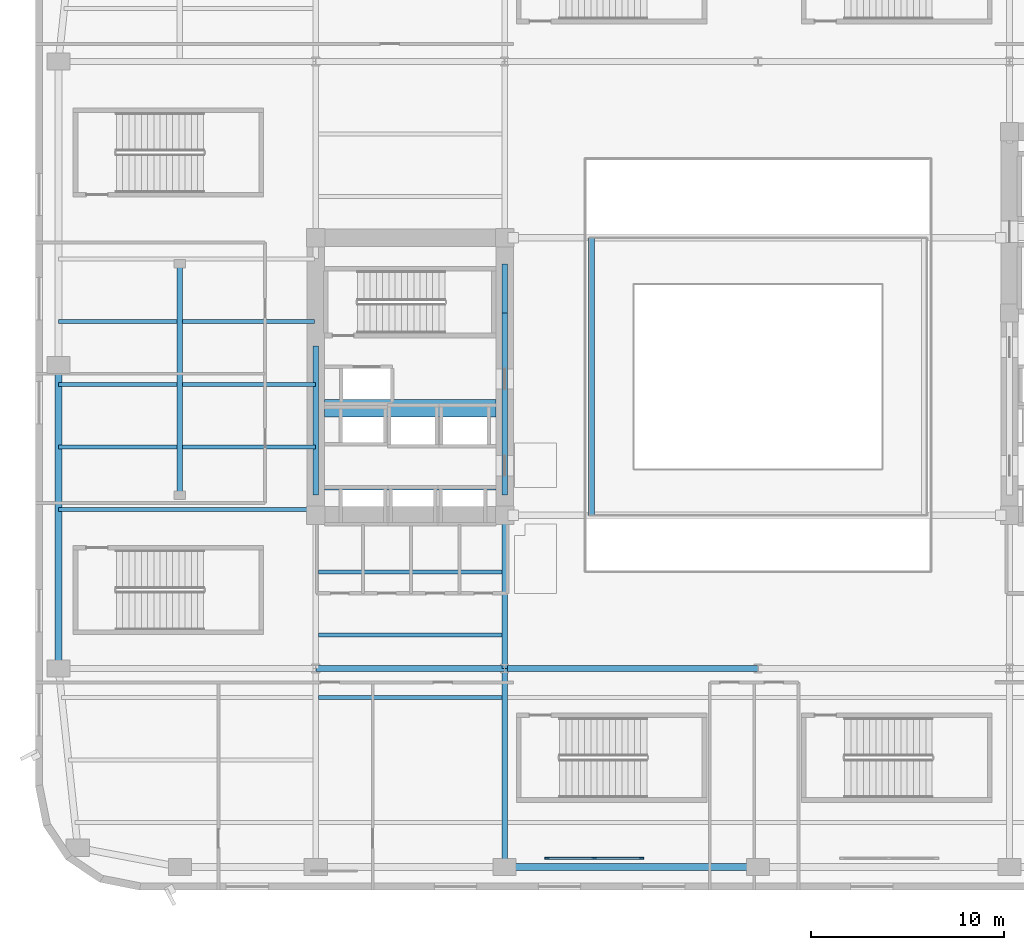
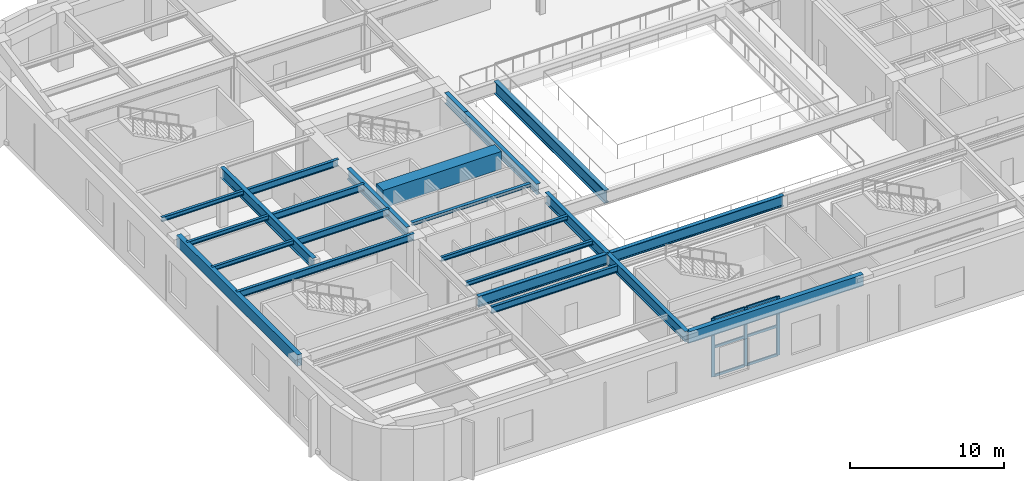
# One storey, part 2 of 22: 23 beams, 9 members, 1 element without a shape of its own.
"""IFC4 building model written with IfcOpenShell, lengths in metres."""

from ifc_helpers import new_model, si_unit, direction, frame, origin, origin_2d, place, context, subcontext, project, spatial, rectangle, hollow_rectangle, i_section, extrude, material, material_profile, profile_set, type_object, element, aggregate, save


model = new_model("IFC4")

# Units and contexts
model_context = context("Model", 3, precision=1e-05, world=origin(), true_north=direction((0.0, 1.0)))
body_context = subcontext(model_context, "Body", "Model", "MODEL_VIEW")
ifc_project = project(units=[si_unit("LENGTHUNIT", "METRE"), si_unit("AREAUNIT", "SQUARE_METRE"), si_unit("VOLUMEUNIT", "CUBIC_METRE"), si_unit("PLANEANGLEUNIT", "RADIAN"), si_unit("MASSUNIT", "GRAM", prefix="KILO")], contexts=[model_context])

# Site, building, storey
site_placement = place(None, origin())
site = spatial("IfcSite", under=ifc_project, at=site_placement, CompositionType="ELEMENT")
building_placement = place(site_placement, origin())
building = spatial("IfcBuilding", under=site, at=building_placement, Name="Kolvaren Arena Tower", CompositionType="ELEMENT")
storey_placement = place(building_placement, frame((0.0, 0.0, 13.0)))
storey = spatial("IfcBuildingStorey", under=building, at=storey_placement, Name="L02", CompositionType="ELEMENT", Elevation=13.0)

# Beams
ifc_material_1 = material(Name="Steel CSA G40.21 350W", Category="steel")
ifc_material_profile_1 = material_profile(ifc_material_1, i_section(OverallWidth=0.2119140625, OverallDepth=0.54296875, WebThickness=0.01318359375, FlangeThickness=0.0244140625, FilletRadius=0.013916015625, at=origin_2d()), Name="W530x150")
ifc_profile_set_1 = profile_set([ifc_material_profile_1], Name="Steel CSA G40.21 350W")
beam_type_1 = type_object("IfcBeamType", Name="BEAM-F1", PredefinedType="BEAM", material=ifc_profile_set_1)
beam_1_placement = place(storey_placement, frame((14.696044921875, 10.0, 4.37841796875), z_axis=(1.0, 0.0, 0.0), x_axis=(0.0, 1.0, 0.0)))
element("IfcBeam", 1, at=beam_1_placement, inside=storey, type_object=beam_type_1, Name="Composite Floor Beam (L02)", PredefinedType="BEAM", context=body_context, shape_type="SweptSolid", body=[
    extrude(i_section(OverallWidth=0.2119140625, OverallDepth=0.54296875, WebThickness=0.01318359375, FlangeThickness=0.0244140625, FilletRadius=0.013916015625, at=origin_2d()), origin(), (0.0, 0.0, 1.0), 9.508056640625),
])
beam_2_placement = place(storey_placement, frame((1.199951171875, 19.75, 4.37841796875), z_axis=(1.0, 0.0, 0.0), x_axis=(0.0, 1.0, 0.0)))
element("IfcBeam", 2, at=beam_2_placement, inside=storey, type_object=beam_type_1, Name="Composite Floor Beam (L02)", PredefinedType="BEAM", context=body_context, shape_type="SweptSolid", body=[
    extrude(i_section(OverallWidth=0.2119140625, OverallDepth=0.54296875, WebThickness=0.01318359375, FlangeThickness=0.0244140625, FilletRadius=0.013916015625, at=origin_2d()), origin(), (0.0, 0.0, 1.0), 13.330078125),
])
for number, where, z_axis, x_axis, name in (
    (3, (7.64599609375, 23.0, 4.37841796875), (1.0, 0.0, 0.0), (0.0, 1.0, 0.0), "Composite Floor Beam (L02)"),
    (4, (7.64599609375, 26.25, 4.37841796875), (1.0, 0.0, 0.0), (0.0, 1.0, 0.0), "Composite Floor Beam (L02)"),
):
    element("IfcBeam", number, at=place(storey_placement, frame(where, z_axis=z_axis, x_axis=x_axis)), inside=storey, type_object=beam_type_1, Name=name, PredefinedType="BEAM", context=body_context, shape_type="SweptSolid", body=[
        extrude(i_section(OverallWidth=0.2119140625, OverallDepth=0.54296875, WebThickness=0.01318359375, FlangeThickness=0.0244140625, FilletRadius=0.013916015625, at=origin_2d()), origin(), (0.0, 0.0, 1.0), 6.884033203125),
    ])
beam_3_placement = place(storey_placement, frame((7.64599609375, 29.5, 4.37841796875), z_axis=(1.0, 0.0, 0.0), x_axis=(0.0, 1.0, 0.0)))
element("IfcBeam", 5, at=beam_3_placement, inside=storey, type_object=beam_type_1, Name="Composite Floor Beam (L02)", PredefinedType="BEAM", context=body_context, shape_type="SweptSolid", body=[
    extrude(i_section(OverallWidth=0.2119140625, OverallDepth=0.54296875, WebThickness=0.01318359375, FlangeThickness=0.0244140625, FilletRadius=0.013916015625, at=origin_2d()), origin(), (0.0, 0.0, 1.0), 6.833984375),
])
ifc_material_2 = material(Name="Concrete 75 MPa", Category="concrete")
ifc_material_profile_2 = material_profile(ifc_material_2, rectangle(XDim=0.89990234375, YDim=1.39990234375, at=origin_2d()), Name="RC-900x1400")
ifc_profile_set_2 = profile_set([ifc_material_profile_2], Name="Concrete 75 MPa")
beam_type_2 = type_object("IfcBeamType", Name="CB-CORE-1", PredefinedType="BEAM", material=ifc_profile_set_2)
beam_4_placement = place(storey_placement, frame((15.0, 25.0, 4.219970703125), z_axis=(1.0, 0.0, 0.0), x_axis=(0.0, 1.0, 0.0)))
element("IfcBeam", 6, at=beam_4_placement, inside=storey, type_object=beam_type_2, Name="West Core Coupling Beam (L02)", PredefinedType="BEAM", context=body_context, shape_type="SweptSolid", body=[
    extrude(rectangle(XDim=0.89990234375, YDim=1.39990234375, at=origin_2d()), origin(), (0.0, 0.0, 1.0), 8.89990234375),
])

# Curtain wall, members
ifc_material_3 = material(Name="Anodised aluminium unitised curtain wall", Category="aluminium")
curtain_wall_type = type_object("IfcCurtainWallType", Name="CW-SYS-02", PredefinedType="USERDEFINED", material=ifc_material_3)
curtain_wall_placement = place(storey_placement, origin())
curtain_wall = element("IfcCurtainWall", 7, at=curtain_wall_placement, inside=storey, type_object=curtain_wall_type, Name="Arena Concourse Grand Portal Curtain Wall (L02)", ObjectType="UNITISED CURTAIN WALL", PredefinedType="USERDEFINED")
ifc_material_4 = material(Name="Anodised aluminium 6063-T6", Category="aluminium")
ifc_material_profile_3 = material_profile(ifc_material_4, rectangle(XDim=0.10009765625, YDim=0.239990234375, at=origin_2d()), Name="ALU-100x240")
ifc_profile_set_3 = profile_set([ifc_material_profile_3], Name="Anodised aluminium 6063-T6")
member_type_1 = type_object("IfcMemberType", Name="CWM-HVY", PredefinedType="MULLION", material=ifc_profile_set_3)
member_1_placement = place(storey_placement, frame((26.550048828125, 1.64990234375, 0.0), z_axis=(0.0, 0.0, 1.0), x_axis=(0.0, 1.0, 0.0)))
member_1 = element("IfcMember", 8, at=member_1_placement, type_object=member_type_1, Name="CW2 mullion 1", PredefinedType="MULLION", context=body_context, shape_type="SweptSolid", body=[
    extrude(rectangle(XDim=0.10009765625, YDim=0.239990234375, at=origin_2d()), origin(), (0.0, 0.0, 1.0), 4.64990234375),
])
member_2_placement = place(storey_placement, frame((29.0, 1.64990234375, 0.0), z_axis=(0.0, 0.0, 1.0), x_axis=(0.0, 1.0, 0.0)))
member_2 = element("IfcMember", 9, at=member_2_placement, type_object=member_type_1, Name="CW2 mullion 2", PredefinedType="MULLION", context=body_context, shape_type="SweptSolid", body=[
    extrude(rectangle(XDim=0.10009765625, YDim=0.239990234375, at=origin_2d()), origin(), (0.0, 0.0, 1.0), 4.64990234375),
])
member_3_placement = place(storey_placement, frame((31.449951171875, 1.64990234375, 0.0), z_axis=(0.0, 0.0, 1.0), x_axis=(0.0, 1.0, 0.0)))
member_3 = element("IfcMember", 10, at=member_3_placement, type_object=member_type_1, Name="CW2 mullion 3", PredefinedType="MULLION", context=body_context, shape_type="SweptSolid", body=[
    extrude(rectangle(XDim=0.10009765625, YDim=0.239990234375, at=origin_2d()), origin(), (0.0, 0.0, 1.0), 4.64990234375),
])
ifc_material_profile_4 = material_profile(ifc_material_4, rectangle(XDim=0.10009765625, YDim=0.199951171875, at=origin_2d()), Name="ALU-100x200")
ifc_profile_set_4 = profile_set([ifc_material_profile_4], Name="Anodised aluminium 6063-T6")
member_type_2 = type_object("IfcMemberType", Name="CWT-HVY", PredefinedType="USERDEFINED", material=ifc_profile_set_4)
member_4_placement = place(storey_placement, frame((26.60009765625, 1.64990234375, 0.050048828125), z_axis=(1.0, 0.0, 0.0), x_axis=(0.0, 1.0, 0.0)))
member_4 = element("IfcMember", 11, at=member_4_placement, type_object=member_type_2, Name="CW2 transom 1.1", ObjectType="TRANSOM", PredefinedType="USERDEFINED", context=body_context, shape_type="SweptSolid", body=[
    extrude(rectangle(XDim=0.10009765625, YDim=0.199951171875, at=origin_2d()), origin(), (0.0, 0.0, 1.0), 2.349853515625),
])
member_5_placement = place(storey_placement, frame((26.60009765625, 1.64990234375, 2.324951171875), z_axis=(1.0, 0.0, 0.0), x_axis=(0.0, 1.0, 0.0)))
member_5 = element("IfcMember", 12, at=member_5_placement, type_object=member_type_2, Name="CW2 transom 1.2", ObjectType="TRANSOM", PredefinedType="USERDEFINED", context=body_context, shape_type="SweptSolid", body=[
    extrude(rectangle(XDim=0.10009765625, YDim=0.199951171875, at=origin_2d()), origin(), (0.0, 0.0, 1.0), 2.349853515625),
])
member_6_placement = place(storey_placement, frame((26.60009765625, 1.64990234375, 4.60009765625), z_axis=(1.0, 0.0, 0.0), x_axis=(0.0, 1.0, 0.0)))
member_6 = element("IfcMember", 13, at=member_6_placement, type_object=member_type_2, Name="CW2 transom 1.3", ObjectType="TRANSOM", PredefinedType="USERDEFINED", context=body_context, shape_type="SweptSolid", body=[
    extrude(rectangle(XDim=0.10009765625, YDim=0.199951171875, at=origin_2d()), origin(), (0.0, 0.0, 1.0), 2.349853515625),
])
member_7_placement = place(storey_placement, frame((29.050048828125, 1.64990234375, 0.050048828125), z_axis=(1.0, 0.0, 0.0), x_axis=(0.0, 1.0, 0.0)))
member_7 = element("IfcMember", 14, at=member_7_placement, type_object=member_type_2, Name="CW2 transom 2.1", ObjectType="TRANSOM", PredefinedType="USERDEFINED", context=body_context, shape_type="SweptSolid", body=[
    extrude(rectangle(XDim=0.10009765625, YDim=0.199951171875, at=origin_2d()), origin(), (0.0, 0.0, 1.0), 2.349853515625),
])
member_8_placement = place(storey_placement, frame((29.050048828125, 1.64990234375, 2.324951171875), z_axis=(1.0, 0.0, 0.0), x_axis=(0.0, 1.0, 0.0)))
member_8 = element("IfcMember", 15, at=member_8_placement, type_object=member_type_2, Name="CW2 transom 2.2", ObjectType="TRANSOM", PredefinedType="USERDEFINED", context=body_context, shape_type="SweptSolid", body=[
    extrude(rectangle(XDim=0.10009765625, YDim=0.199951171875, at=origin_2d()), origin(), (0.0, 0.0, 1.0), 2.349853515625),
])
member_9_placement = place(storey_placement, frame((29.050048828125, 1.64990234375, 4.60009765625), z_axis=(1.0, 0.0, 0.0), x_axis=(0.0, 1.0, 0.0)))
member_9 = element("IfcMember", 16, at=member_9_placement, type_object=member_type_2, Name="CW2 transom 2.3", ObjectType="TRANSOM", PredefinedType="USERDEFINED", context=body_context, shape_type="SweptSolid", body=[
    extrude(rectangle(XDim=0.10009765625, YDim=0.199951171875, at=origin_2d()), origin(), (0.0, 0.0, 1.0), 2.349853515625),
])
aggregate(curtain_wall, [member_1, member_2, member_3, member_4, member_5, member_6, member_7, member_8, member_9])

# Beams
ifc_material_profile_5 = material_profile(ifc_material_1, i_section(OverallWidth=0.2919921875, OverallDepth=0.85498046875, WebThickness=0.02099609375, FlangeThickness=0.03564453125, FilletRadius=0.01806640625, at=origin_2d()), Name="W840x299")
ifc_profile_set_5 = profile_set([ifc_material_profile_5], Name="Steel CSA G40.21 350W")
beam_type_3 = type_object("IfcBeamType", Name="GIRD-P1", PredefinedType="BEAM", material=ifc_profile_set_5)
beam_5_placement = place(storey_placement, frame((14.550048828125, 11.5, 4.222412109375), z_axis=(1.0, 0.0, 0.0), x_axis=(0.0, 1.0, 0.0)))
element("IfcBeam", 17, at=beam_5_placement, inside=storey, type_object=beam_type_3, Name="Primary Floor Girder (L02)", PredefinedType="BEAM", context=body_context, shape_type="SweptSolid", body=[
    extrude(i_section(OverallWidth=0.2919921875, OverallDepth=0.85498046875, WebThickness=0.02099609375, FlangeThickness=0.03564453125, FilletRadius=0.01806640625, at=origin_2d()), origin(), (0.0, 0.0, 1.0), 9.800048828125),
])
beam_6_placement = place(storey_placement, frame((24.35009765625, 11.5, 4.222412109375), z_axis=(1.0, 0.0, 0.0), x_axis=(0.0, 1.0, 0.0)))
element("IfcBeam", 18, at=beam_6_placement, inside=storey, type_object=beam_type_3, Name="Primary Floor Girder (L02)", PredefinedType="BEAM", context=body_context, shape_type="SweptSolid", body=[
    extrude(i_section(OverallWidth=0.2919921875, OverallDepth=0.85498046875, WebThickness=0.02099609375, FlangeThickness=0.03564453125, FilletRadius=0.01806640625, at=origin_2d()), origin(), (0.0, 0.0, 1.0), 13.14990234375),
])
beam_7_placement = place(storey_placement, frame((7.5, 20.5, 4.222412109375), z_axis=(0.0, 1.0, 0.0), x_axis=(-1.0, 0.0, 0.0)))
element("IfcBeam", 19, at=beam_7_placement, inside=storey, type_object=beam_type_3, Name="Primary Floor Girder (L02)", PredefinedType="BEAM", context=body_context, shape_type="SweptSolid", body=[
    extrude(i_section(OverallWidth=0.2919921875, OverallDepth=0.85498046875, WebThickness=0.02099609375, FlangeThickness=0.03564453125, FilletRadius=0.01806640625, at=origin_2d()), origin(), (0.0, 0.0, 1.0), 12.0),
])
beam_8_placement = place(storey_placement, frame((14.550048828125, 20.5, 4.222412109375), z_axis=(0.0, 1.0, 0.0), x_axis=(-1.0, 0.0, 0.0)))
element("IfcBeam", 20, at=beam_8_placement, inside=storey, type_object=beam_type_3, Name="Primary Floor Girder (L02)", PredefinedType="BEAM", context=body_context, shape_type="SweptSolid", body=[
    extrude(i_section(OverallWidth=0.2919921875, OverallDepth=0.85498046875, WebThickness=0.02099609375, FlangeThickness=0.03564453125, FilletRadius=0.01806640625, at=origin_2d()), origin(), (0.0, 0.0, 1.0), 7.739990234375),
])
beam_9_placement = place(storey_placement, frame((24.35009765625, 1.199951171875, 4.222412109375), z_axis=(0.0, 1.0, 0.0), x_axis=(-1.0, 0.0, 0.0)))
element("IfcBeam", 21, at=beam_9_placement, inside=storey, type_object=beam_type_3, Name="Primary Floor Girder (L02)", PredefinedType="BEAM", context=body_context, shape_type="SweptSolid", body=[
    extrude(i_section(OverallWidth=0.2919921875, OverallDepth=0.85498046875, WebThickness=0.02099609375, FlangeThickness=0.03564453125, FilletRadius=0.01806640625, at=origin_2d()), origin(), (0.0, 0.0, 1.0), 10.300048828125),
])
beam_10_placement = place(storey_placement, frame((24.35009765625, 11.5, 4.222412109375), z_axis=(0.0, 1.0, 0.0), x_axis=(-1.0, 0.0, 0.0)))
element("IfcBeam", 22, at=beam_10_placement, inside=storey, type_object=beam_type_3, Name="Primary Floor Girder (L02)", PredefinedType="BEAM", context=body_context, shape_type="SweptSolid", body=[
    extrude(i_section(OverallWidth=0.2919921875, OverallDepth=0.85498046875, WebThickness=0.02099609375, FlangeThickness=0.03564453125, FilletRadius=0.01806640625, at=origin_2d()), origin(), (0.0, 0.0, 1.0), 7.949951171875),
])
beam_11_placement = place(storey_placement, frame((24.35009765625, 20.5, 4.222412109375), z_axis=(0.0, 1.0, 0.0), x_axis=(-1.0, 0.0, 0.0)))
element("IfcBeam", 23, at=beam_11_placement, inside=storey, type_object=beam_type_3, Name="Primary Floor Girder (L02)", PredefinedType="BEAM", context=body_context, shape_type="SweptSolid", body=[
    extrude(i_section(OverallWidth=0.2919921875, OverallDepth=0.85498046875, WebThickness=0.02099609375, FlangeThickness=0.03564453125, FilletRadius=0.01806640625, at=origin_2d()), origin(), (0.0, 0.0, 1.0), 9.449951171875),
])
beam_12_placement = place(storey_placement, frame((24.35009765625, 29.949951171875, 4.222412109375), z_axis=(0.0, 1.0, 0.0), x_axis=(-1.0, 0.0, 0.0)))
element("IfcBeam", 24, at=beam_12_placement, inside=storey, type_object=beam_type_3, Name="Primary Floor Girder (L02)", PredefinedType="BEAM", context=body_context, shape_type="SweptSolid", body=[
    extrude(i_section(OverallWidth=0.2919921875, OverallDepth=0.85498046875, WebThickness=0.02099609375, FlangeThickness=0.03564453125, FilletRadius=0.01806640625, at=origin_2d()), origin(), (0.0, 0.0, 1.0), 2.550048828125),
])
ifc_material_profile_6 = material_profile(ifc_material_1, i_section(OverallWidth=0.202880859375, OverallDepth=0.346923828125, WebThickness=0.0078125, FlangeThickness=0.013427734375, FilletRadius=0.010986328125, at=origin_2d()), Name="W360x64")
ifc_profile_set_6 = profile_set([ifc_material_profile_6], Name="Steel CSA G40.21 350W")
beam_type_4 = type_object("IfcBeamType", Name="JOIST-01", PredefinedType="JOIST", material=ifc_profile_set_6)
for number, where, z_axis, x_axis, name in (
    (25, (14.696044921875, 13.25, 4.4765625), (1.0, 0.0, 0.0), (0.0, 1.0, 0.0), "Composite Floor Joist (L02)"),
    (26, (14.696044921875, 16.5, 4.4765625), (1.0, 0.0, 0.0), (0.0, 1.0, 0.0), "Composite Floor Joist (L02)"),
):
    element("IfcBeam", number, at=place(storey_placement, frame(where, z_axis=z_axis, x_axis=x_axis)), inside=storey, type_object=beam_type_4, Name=name, PredefinedType="JOIST", context=body_context, shape_type="SweptSolid", body=[
        extrude(i_section(OverallWidth=0.202880859375, OverallDepth=0.346923828125, WebThickness=0.0078125, FlangeThickness=0.013427734375, FilletRadius=0.010986328125, at=origin_2d()), origin(), (0.0, 0.0, 1.0), 9.508056640625),
    ])
for number, where, z_axis, x_axis, name in (
    (27, (1.199951171875, 23.0, 4.4765625), (1.0, 0.0, 0.0), (0.0, 1.0, 0.0), "Composite Floor Joist (L02)"),
    (28, (1.199951171875, 26.25, 4.4765625), (1.0, 0.0, 0.0), (0.0, 1.0, 0.0), "Composite Floor Joist (L02)"),
    (29, (1.199951171875, 29.5, 4.4765625), (1.0, 0.0, 0.0), (0.0, 1.0, 0.0), "Composite Floor Joist (L02)"),
):
    element("IfcBeam", number, at=place(storey_placement, frame(where, z_axis=z_axis, x_axis=x_axis)), inside=storey, type_object=beam_type_4, Name=name, PredefinedType="JOIST", context=body_context, shape_type="SweptSolid", body=[
        extrude(i_section(OverallWidth=0.202880859375, OverallDepth=0.346923828125, WebThickness=0.0078125, FlangeThickness=0.013427734375, FilletRadius=0.010986328125, at=origin_2d()), origin(), (0.0, 0.0, 1.0), 6.154052734375),
    ])
ifc_material_profile_7 = material_profile(ifc_material_1, i_section(OverallWidth=0.25390625, OverallDepth=0.2529296875, WebThickness=0.008544921875, FlangeThickness=0.01416015625, FilletRadius=0.010009765625, at=origin_2d()), Name="W250x73")
ifc_profile_set_7 = profile_set([ifc_material_profile_7], Name="Steel CSA G40.21 350W")
beam_type_5 = type_object("IfcBeamType", Name="LINT-02", PredefinedType="LINTEL", material=ifc_profile_set_7)
beam_13_placement = place(storey_placement, frame((15.0, 20.8798828125, 4.5234375), z_axis=(1.0, 0.0, 0.0), x_axis=(0.0, 1.0, 0.0)))
element("IfcBeam", 30, at=beam_13_placement, inside=storey, type_object=beam_type_5, Name="West Lift Lobby Portal Lintel (L02)", PredefinedType="LINTEL", context=body_context, shape_type="SweptSolid", body=[
    extrude(i_section(OverallWidth=0.25390625, OverallDepth=0.2529296875, WebThickness=0.008544921875, FlangeThickness=0.01416015625, FilletRadius=0.010009765625, at=origin_2d()), origin(), (0.0, 0.0, 1.0), 8.89990234375),
])
ifc_material_profile_8 = material_profile(ifc_material_1, i_section(OverallWidth=0.323974609375, OverallDepth=1.011962890625, WebThickness=0.02685546875, FlangeThickness=0.0458984375, FilletRadius=0.02197265625, at=origin_2d()), Name="W1000x443")
ifc_profile_set_8 = profile_set([ifc_material_profile_8], Name="Steel CSA G40.21 350W")
beam_type_6 = type_object("IfcBeamType", Name="RAKER-01", PredefinedType="USERDEFINED", material=ifc_profile_set_8)
beam_14_placement = place(storey_placement, frame((28.85009765625, 19.449951171875, 2.68408203125), z_axis=(0.0, 1.0, 0.0), x_axis=(-1.0, 0.0, 0.0)))
element("IfcBeam", 31, at=beam_14_placement, inside=storey, type_object=beam_type_6, Name="Arena Bowl Raker Girder (L02 W)", ObjectType="RAKER GIRDER", PredefinedType="USERDEFINED", context=body_context, shape_type="SweptSolid", body=[
    extrude(i_section(OverallWidth=0.323974609375, OverallDepth=1.011962890625, WebThickness=0.02685546875, FlangeThickness=0.0458984375, FilletRadius=0.02197265625, at=origin_2d()), origin(), (0.0, 0.0, 1.0), 14.400146484375),
])
ifc_material_5 = material(Name="Steel CSA G40.21 350WT", Category="steel")
ifc_material_profile_9 = material_profile(ifc_material_5, hollow_rectangle(XDim=0.35009765625, YDim=0.89990234375, WallThickness=0.02001953125, at=origin_2d()), Name="HSS 900x350x20")
ifc_profile_set_9 = profile_set([ifc_material_profile_9], Name="Steel CSA G40.21 350WT")
beam_type_7 = type_object("IfcBeamType", Name="SPAND-01", PredefinedType="SPANDREL", material=ifc_profile_set_9)
beam_15_placement = place(storey_placement, frame((24.35009765625, 1.199951171875, 4.199951171875), z_axis=(1.0, 0.0, 0.0), x_axis=(0.0, 1.0, 0.0)))
element("IfcBeam", 32, at=beam_15_placement, inside=storey, type_object=beam_type_7, Name="Perimeter Spandrel Beam (L02)", PredefinedType="SPANDREL", context=body_context, shape_type="SweptSolid", body=[
    extrude(hollow_rectangle(XDim=0.35009765625, YDim=0.89990234375, WallThickness=0.02001953125, at=origin_2d()), origin(), (0.0, 0.0, 1.0), 13.14990234375),
])
beam_16_placement = place(storey_placement, frame((1.199951171875, 27.25, 4.199951171875), z_axis=(0.0, -1.0, 0.0), x_axis=(1.0, 0.0, 0.0)))
element("IfcBeam", 33, at=beam_16_placement, inside=storey, type_object=beam_type_7, Name="Perimeter Spandrel Beam (L02)", PredefinedType="SPANDREL", context=body_context, shape_type="SweptSolid", body=[
    extrude(hollow_rectangle(XDim=0.35009765625, YDim=0.89990234375, WallThickness=0.02001953125, at=origin_2d()), origin(), (0.0, 0.0, 1.0), 15.75),
])

save(model, "model.ifc")
